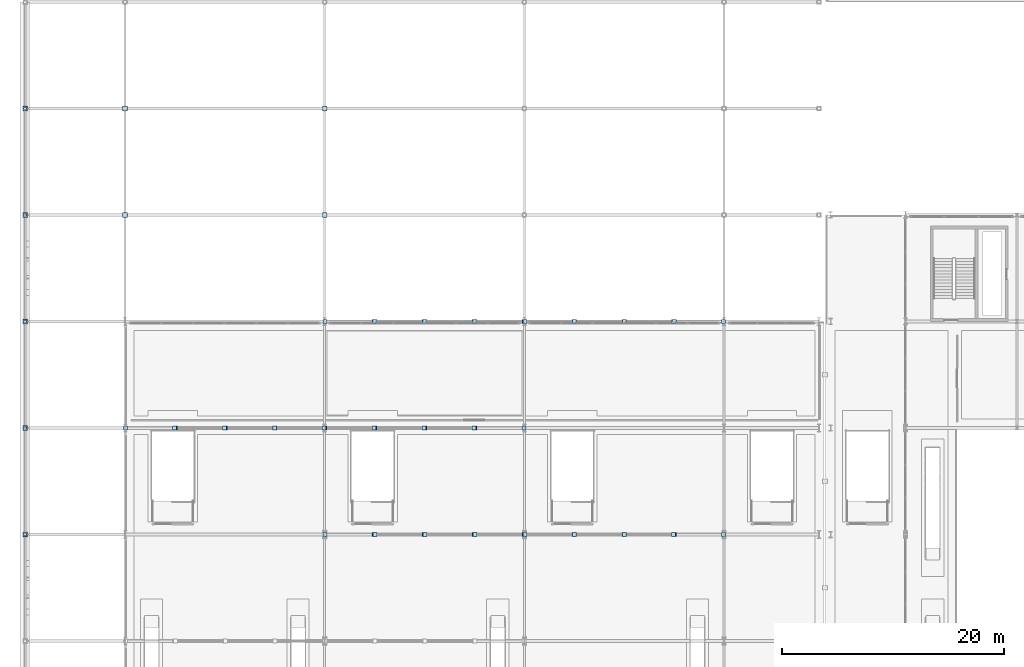
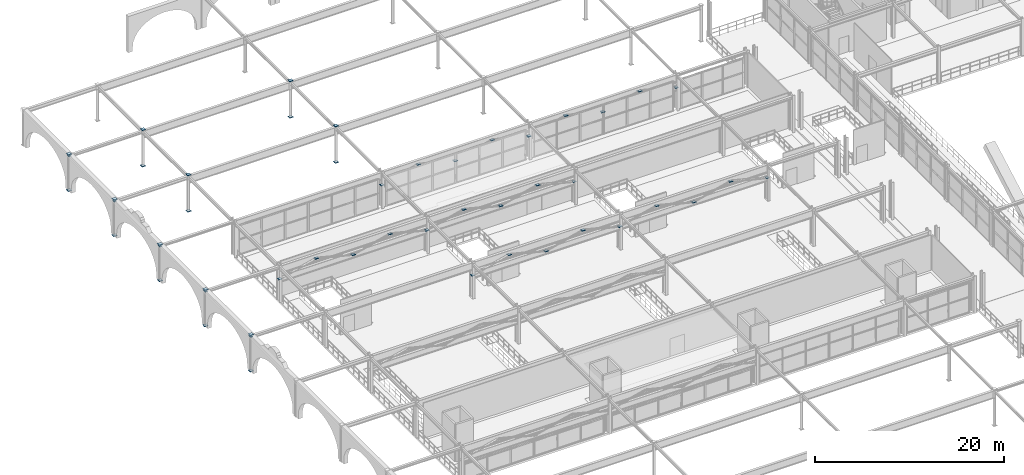
# One storey, part 68 of 125: 76 plates.
"""IFC4 building model written with IfcOpenShell, lengths in metres."""

from ifc_helpers import new_model, si_unit, direction, frame, origin, origin_2d, place, context, subcontext, project, spatial, rectangle, extrude, material, layer, layer_set, type_object, element, save


model = new_model("IFC4")

# Units and contexts
model_context = context("Model", 3, precision=1e-05, world=origin(), true_north=direction((0.0, 1.0)))
body_context = subcontext(model_context, "Body", "Model", "MODEL_VIEW")
ifc_project = project(units=[si_unit("LENGTHUNIT", "METRE"), si_unit("AREAUNIT", "SQUARE_METRE"), si_unit("VOLUMEUNIT", "CUBIC_METRE"), si_unit("PLANEANGLEUNIT", "RADIAN"), si_unit("MASSUNIT", "GRAM", prefix="KILO")], contexts=[model_context])

# Site, building, storey
site_placement = place(None, origin())
site = spatial("IfcSite", under=ifc_project, at=site_placement, CompositionType="ELEMENT")
building_placement = place(site_placement, origin())
building = spatial("IfcBuilding", under=site, at=building_placement, Name="Myrtia Square Station", CompositionType="ELEMENT")
storey_placement = place(building_placement, frame((0.0, 0.0, 6.0)))
storey = spatial("IfcBuildingStorey", under=building, at=storey_placement, Name="L01", CompositionType="ELEMENT", Elevation=6.0)

# Plates
ifc_material = material(Name="Steel S355", Category="steel")
ifc_layer_1 = layer(ifc_material, 0.01611328125, Name="Steel S355")
ifc_layer_set_1 = layer_set([ifc_layer_1], Name="Steel S355")
plate_type_1 = type_object("IfcPlateType", Name="PLT-GUS16", PredefinedType="USERDEFINED", material=ifc_layer_set_1)
for number, where, z_axis, x_axis, name in (
    (1, (0.0, 67.14990234375, 4.421875), (0.0, 0.0, 1.0), (0.0, 1.0, 0.0), "Truss node gusset plate SPNY-L01-0145-2"),
    (2, (0.0, 67.25, 4.421875), (0.0, 0.0, 1.0), (0.0, 1.0, 0.0), "Truss node gusset plate SPNY-L01-0146-1"),
    (3, (0.0, 76.75, 4.421875), (0.0, 0.0, 1.0), (0.0, 1.0, 0.0), "Truss node gusset plate SPNY-L01-0146-2"),
    (4, (0.0, 76.85009765625, 4.421875), (0.0, 0.0, 1.0), (0.0, 1.0, 0.0), "Truss node gusset plate SPNY-L01-0147-1"),
    (5, (0.0, 86.35009765625, 4.421875), (0.0, 0.0, 1.0), (0.0, 1.0, 0.0), "Truss node gusset plate SPNY-L01-0147-2"),
    (6, (0.0, 86.449951171875, 4.421875), (0.0, 0.0, 1.0), (0.0, 1.0, 0.0), "Truss node gusset plate SPNY-L01-0148-1"),
    (7, (0.0, 95.949951171875, 4.421875), (0.0, 0.0, 1.0), (0.0, 1.0, 0.0), "Truss node gusset plate SPNY-L01-0148-2"),
    (8, (0.0, 96.050048828125, 4.421875), (0.0, 0.0, 1.0), (0.0, 1.0, 0.0), "Truss node gusset plate SPNY-L01-0149-1"),
    (9, (0.0, 105.550048828125, 4.421875), (0.0, 0.0, 1.0), (0.0, 1.0, 0.0), "Truss node gusset plate SPNY-L01-0149-2"),
    (10, (0.0, 105.64990234375, 4.421875), (0.0, 0.0, 1.0), (0.0, 1.0, 0.0), "Truss node gusset plate SPNY-L01-0150-1"),
):
    element("IfcPlate", number, at=place(storey_placement, frame(where, z_axis=z_axis, x_axis=x_axis)), inside=storey, type_object=plate_type_1, Name=name, ObjectType="GUSSET PLATE", PredefinedType="USERDEFINED", context=body_context, shape_type="SweptSolid", body=[
        extrude(rectangle(XDim=0.280029296875, YDim=0.280029296875, at=origin_2d()), origin(), (0.0, 0.0, 1.0), 0.01611328125),
    ])
ifc_layer_2 = layer(ifc_material, 0.02001953125, Name="Steel S355")
ifc_layer_set_2 = layer_set([ifc_layer_2], Name="Steel S355")
plate_type_2 = type_object("IfcPlateType", Name="PLT-GUS20", PredefinedType="USERDEFINED", material=ifc_layer_set_2)
for number, where, z_axis, x_axis, name in (
    (11, (0.0, 67.199951171875, -0.010009765625), (0.0, 0.0, 1.0), (1.0, 0.0, 0.0), "Truss node gusset plate COL-L01-0021-1"),
    (12, (0.0, 67.199951171875, 4.669921875), (0.0, 0.0, 1.0), (1.0, 0.0, 0.0), "Truss node gusset plate COL-L01-0021-2"),
    (13, (0.0, 76.800048828125, -0.010009765625), (0.0, 0.0, 1.0), (1.0, 0.0, 0.0), "Truss node gusset plate COL-L01-0024-1"),
    (14, (0.0, 76.800048828125, 4.669921875), (0.0, 0.0, 1.0), (1.0, 0.0, 0.0), "Truss node gusset plate COL-L01-0024-2"),
    (15, (0.0, 86.39990234375, -0.010009765625), (0.0, 0.0, 1.0), (1.0, 0.0, 0.0), "Truss node gusset plate COL-L01-0027-1"),
    (16, (0.0, 86.39990234375, 4.669921875), (0.0, 0.0, 1.0), (1.0, 0.0, 0.0), "Truss node gusset plate COL-L01-0027-2"),
    (17, (0.0, 96.0, -0.010009765625), (0.0, 0.0, 1.0), (1.0, 0.0, 0.0), "Truss node gusset plate COL-L01-0030-1"),
    (18, (0.0, 96.0, 4.669921875), (0.0, 0.0, 1.0), (1.0, 0.0, 0.0), "Truss node gusset plate COL-L01-0030-2"),
    (19, (0.0, 105.60009765625, -0.010009765625), (0.0, 0.0, 1.0), (1.0, 0.0, 0.0), "Truss node gusset plate COL-L01-0033-1"),
    (20, (0.0, 105.60009765625, 4.669921875), (0.0, 0.0, 1.0), (1.0, 0.0, 0.0), "Truss node gusset plate COL-L01-0033-2"),
    (21, (9.0, 96.0, -0.010009765625), (0.0, 0.0, 1.0), (1.0, 0.0, 0.0), "Truss node gusset plate COL-L01-0066-1"),
    (22, (9.0, 96.0, 4.669921875), (0.0, 0.0, 1.0), (1.0, 0.0, 0.0), "Truss node gusset plate COL-L01-0066-2"),
    (23, (9.0, 105.60009765625, -0.010009765625), (0.0, 0.0, 1.0), (1.0, 0.0, 0.0), "Truss node gusset plate COL-L01-0069-1"),
    (24, (9.0, 105.60009765625, 4.669921875), (0.0, 0.0, 1.0), (1.0, 0.0, 0.0), "Truss node gusset plate COL-L01-0069-2"),
    (25, (27.0, 96.0, -0.010009765625), (0.0, 0.0, 1.0), (1.0, 0.0, 0.0), "Truss node gusset plate COL-L01-0105-1"),
    (26, (27.0, 96.0, 4.669921875), (0.0, 0.0, 1.0), (1.0, 0.0, 0.0), "Truss node gusset plate COL-L01-0105-2"),
    (27, (27.0, 105.60009765625, -0.010009765625), (0.0, 0.0, 1.0), (1.0, 0.0, 0.0), "Truss node gusset plate COL-L01-0108-1"),
    (28, (27.0, 105.60009765625, 4.669921875), (0.0, 0.0, 1.0), (1.0, 0.0, 0.0), "Truss node gusset plate COL-L01-0108-2"),
):
    element("IfcPlate", number, at=place(storey_placement, frame(where, z_axis=z_axis, x_axis=x_axis)), inside=storey, type_object=plate_type_2, Name=name, ObjectType="GUSSET PLATE", PredefinedType="USERDEFINED", context=body_context, shape_type="SweptSolid", body=[
        extrude(rectangle(XDim=0.419921875, YDim=0.419921875, at=origin_2d()), origin(), (0.0, 0.0, 1.0), 0.02001953125),
    ])
ifc_layer_3 = layer(ifc_material, 0.02490234375, Name="Steel S355")
ifc_layer_set_3 = layer_set([ifc_layer_3], Name="Steel S355")
plate_type_3 = type_object("IfcPlateType", Name="PLT-GUS25", PredefinedType="USERDEFINED", material=ifc_layer_set_3)
for number, where, z_axis, x_axis, name in (
    (29, (27.0400390625, 67.199951171875, 2.837646484375), (0.0, 0.0, 1.0), (1.0, 0.0, 0.0), "Truss node gusset plate WTR-04-D01-1"),
    (30, (31.4599609375, 67.199951171875, 3.9375), (0.0, 0.0, 1.0), (1.0, 0.0, 0.0), "Truss node gusset plate WTR-04-D01-2"),
    (31, (31.5400390625, 67.199951171875, 3.9375), (0.0, 0.0, 1.0), (1.0, 0.0, 0.0), "Truss node gusset plate WTR-04-D02-1"),
    (32, (35.9599609375, 67.199951171875, 2.837646484375), (0.0, 0.0, 1.0), (1.0, 0.0, 0.0), "Truss node gusset plate WTR-04-D02-2"),
    (33, (36.0400390625, 67.199951171875, 2.837646484375), (0.0, 0.0, 1.0), (1.0, 0.0, 0.0), "Truss node gusset plate WTR-04-D03-1"),
    (34, (40.4599609375, 67.199951171875, 3.9375), (0.0, 0.0, 1.0), (1.0, 0.0, 0.0), "Truss node gusset plate WTR-04-D03-2"),
    (35, (40.5400390625, 67.199951171875, 3.9375), (0.0, 0.0, 1.0), (1.0, 0.0, 0.0), "Truss node gusset plate WTR-04-D04-1"),
    (36, (44.9599609375, 67.199951171875, 2.837646484375), (0.0, 0.0, 1.0), (1.0, 0.0, 0.0), "Truss node gusset plate WTR-04-D04-2"),
    (37, (45.0400390625, 67.199951171875, 2.837646484375), (0.0, 0.0, 1.0), (1.0, 0.0, 0.0), "Truss node gusset plate WTR-04-D05-1"),
    (38, (49.4599609375, 67.199951171875, 3.9375), (0.0, 0.0, 1.0), (1.0, 0.0, 0.0), "Truss node gusset plate WTR-04-D05-2"),
    (39, (49.5400390625, 67.199951171875, 3.9375), (0.0, 0.0, 1.0), (1.0, 0.0, 0.0), "Truss node gusset plate WTR-04-D06-1"),
    (40, (53.9599609375, 67.199951171875, 2.837646484375), (0.0, 0.0, 1.0), (1.0, 0.0, 0.0), "Truss node gusset plate WTR-04-D06-2"),
    (41, (54.0400390625, 67.199951171875, 2.837646484375), (0.0, 0.0, 1.0), (1.0, 0.0, 0.0), "Truss node gusset plate WTR-04-D07-1"),
    (42, (58.4599609375, 67.199951171875, 3.9375), (0.0, 0.0, 1.0), (1.0, 0.0, 0.0), "Truss node gusset plate WTR-04-D07-2"),
    (43, (58.5400390625, 67.199951171875, 3.9375), (0.0, 0.0, 1.0), (1.0, 0.0, 0.0), "Truss node gusset plate WTR-04-D08-1"),
    (44, (62.9599609375, 67.199951171875, 2.837646484375), (0.0, 0.0, 1.0), (1.0, 0.0, 0.0), "Truss node gusset plate WTR-04-D08-2"),
    (45, (9.0400390625, 76.800048828125, 2.837646484375), (0.0, 0.0, 1.0), (1.0, 0.0, 0.0), "Truss node gusset plate WTR-05-D01-1"),
    (46, (13.4599609375, 76.800048828125, 3.9375), (0.0, 0.0, 1.0), (1.0, 0.0, 0.0), "Truss node gusset plate WTR-05-D01-2"),
    (47, (13.5400390625, 76.800048828125, 3.9375), (0.0, 0.0, 1.0), (1.0, 0.0, 0.0), "Truss node gusset plate WTR-05-D02-1"),
    (48, (17.9599609375, 76.800048828125, 2.837646484375), (0.0, 0.0, 1.0), (1.0, 0.0, 0.0), "Truss node gusset plate WTR-05-D02-2"),
    (49, (18.0400390625, 76.800048828125, 2.837646484375), (0.0, 0.0, 1.0), (1.0, 0.0, 0.0), "Truss node gusset plate WTR-05-D03-1"),
    (50, (22.4599609375, 76.800048828125, 3.9375), (0.0, 0.0, 1.0), (1.0, 0.0, 0.0), "Truss node gusset plate WTR-05-D03-2"),
    (51, (22.5400390625, 76.800048828125, 3.9375), (0.0, 0.0, 1.0), (1.0, 0.0, 0.0), "Truss node gusset plate WTR-05-D04-1"),
    (52, (26.9599609375, 76.800048828125, 2.837646484375), (0.0, 0.0, 1.0), (1.0, 0.0, 0.0), "Truss node gusset plate WTR-05-D04-2"),
    (53, (27.0400390625, 76.800048828125, 2.837646484375), (0.0, 0.0, 1.0), (1.0, 0.0, 0.0), "Truss node gusset plate WTR-05-D05-1"),
    (54, (31.4599609375, 76.800048828125, 3.9375), (0.0, 0.0, 1.0), (1.0, 0.0, 0.0), "Truss node gusset plate WTR-05-D05-2"),
    (55, (31.5400390625, 76.800048828125, 3.9375), (0.0, 0.0, 1.0), (1.0, 0.0, 0.0), "Truss node gusset plate WTR-05-D06-1"),
    (56, (35.9599609375, 76.800048828125, 2.837646484375), (0.0, 0.0, 1.0), (1.0, 0.0, 0.0), "Truss node gusset plate WTR-05-D06-2"),
    (57, (36.0400390625, 76.800048828125, 2.837646484375), (0.0, 0.0, 1.0), (1.0, 0.0, 0.0), "Truss node gusset plate WTR-05-D07-1"),
    (58, (40.4599609375, 76.800048828125, 3.9375), (0.0, 0.0, 1.0), (1.0, 0.0, 0.0), "Truss node gusset plate WTR-05-D07-2"),
    (59, (40.5400390625, 76.800048828125, 3.9375), (0.0, 0.0, 1.0), (1.0, 0.0, 0.0), "Truss node gusset plate WTR-05-D08-1"),
    (60, (44.9599609375, 76.800048828125, 2.837646484375), (0.0, 0.0, 1.0), (1.0, 0.0, 0.0), "Truss node gusset plate WTR-05-D08-2"),
    (61, (27.0400390625, 86.39990234375, 2.837646484375), (0.0, 0.0, 1.0), (1.0, 0.0, 0.0), "Truss node gusset plate WTR-06-D01-1"),
    (62, (31.4599609375, 86.39990234375, 3.9375), (0.0, 0.0, 1.0), (1.0, 0.0, 0.0), "Truss node gusset plate WTR-06-D01-2"),
    (63, (31.5400390625, 86.39990234375, 3.9375), (0.0, 0.0, 1.0), (1.0, 0.0, 0.0), "Truss node gusset plate WTR-06-D02-1"),
    (64, (35.9599609375, 86.39990234375, 2.837646484375), (0.0, 0.0, 1.0), (1.0, 0.0, 0.0), "Truss node gusset plate WTR-06-D02-2"),
    (65, (36.0400390625, 86.39990234375, 2.837646484375), (0.0, 0.0, 1.0), (1.0, 0.0, 0.0), "Truss node gusset plate WTR-06-D03-1"),
    (66, (40.4599609375, 86.39990234375, 3.9375), (0.0, 0.0, 1.0), (1.0, 0.0, 0.0), "Truss node gusset plate WTR-06-D03-2"),
    (67, (40.5400390625, 86.39990234375, 3.9375), (0.0, 0.0, 1.0), (1.0, 0.0, 0.0), "Truss node gusset plate WTR-06-D04-1"),
    (68, (44.9599609375, 86.39990234375, 2.837646484375), (0.0, 0.0, 1.0), (1.0, 0.0, 0.0), "Truss node gusset plate WTR-06-D04-2"),
    (69, (45.0400390625, 86.39990234375, 2.837646484375), (0.0, 0.0, 1.0), (1.0, 0.0, 0.0), "Truss node gusset plate WTR-06-D05-1"),
    (70, (49.4599609375, 86.39990234375, 3.9375), (0.0, 0.0, 1.0), (1.0, 0.0, 0.0), "Truss node gusset plate WTR-06-D05-2"),
    (71, (49.5400390625, 86.39990234375, 3.9375), (0.0, 0.0, 1.0), (1.0, 0.0, 0.0), "Truss node gusset plate WTR-06-D06-1"),
    (72, (53.9599609375, 86.39990234375, 2.837646484375), (0.0, 0.0, 1.0), (1.0, 0.0, 0.0), "Truss node gusset plate WTR-06-D06-2"),
    (73, (54.0400390625, 86.39990234375, 2.837646484375), (0.0, 0.0, 1.0), (1.0, 0.0, 0.0), "Truss node gusset plate WTR-06-D07-1"),
    (74, (58.4599609375, 86.39990234375, 3.9375), (0.0, 0.0, 1.0), (1.0, 0.0, 0.0), "Truss node gusset plate WTR-06-D07-2"),
    (75, (58.5400390625, 86.39990234375, 3.9375), (0.0, 0.0, 1.0), (1.0, 0.0, 0.0), "Truss node gusset plate WTR-06-D08-1"),
    (76, (62.9599609375, 86.39990234375, 2.837646484375), (0.0, 0.0, 1.0), (1.0, 0.0, 0.0), "Truss node gusset plate WTR-06-D08-2"),
):
    element("IfcPlate", number, at=place(storey_placement, frame(where, z_axis=z_axis, x_axis=x_axis)), inside=storey, type_object=plate_type_3, Name=name, ObjectType="GUSSET PLATE", PredefinedType="USERDEFINED", context=body_context, shape_type="SweptSolid", body=[
        extrude(rectangle(XDim=0.360107421875, YDim=0.360107421875, at=origin_2d()), origin(), (0.0, 0.0, 1.0), 0.02490234375),
    ])

save(model, "model.ifc")
